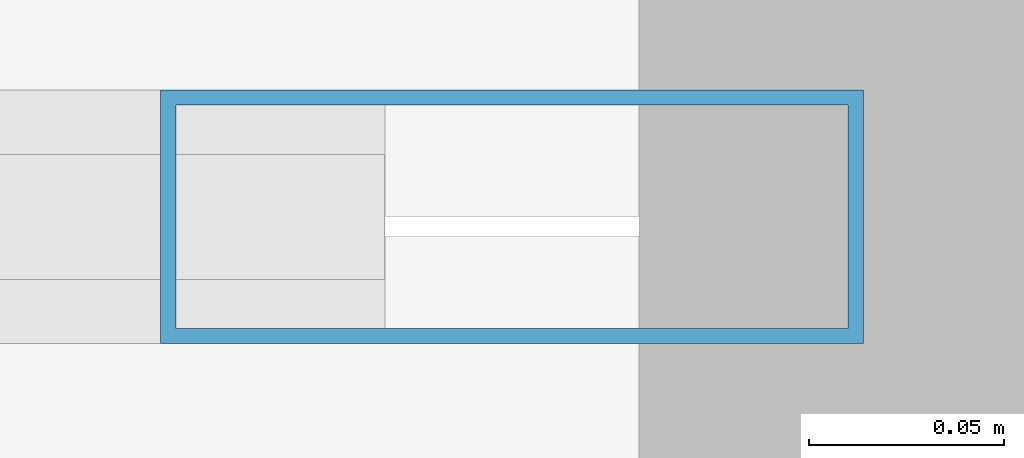
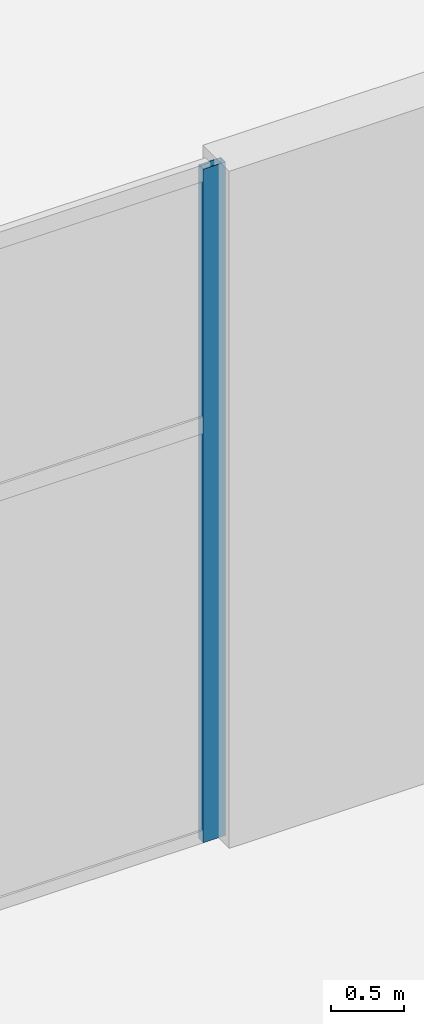
# One storey, part 6 of 30: 1 member, 1 element without a shape of its own.
"""IFC4 building model written with IfcOpenShell, lengths in metres."""

from ifc_helpers import new_model, si_unit, direction, frame, origin, origin_2d, place, context, subcontext, project, spatial, hollow_rectangle, extrude, material, layer, layer_set, material_profile, profile_set, type_object, element, aggregate, save


model = new_model("IFC4")

# Units and contexts
model_context = context("Model", 3, precision=1e-05, world=origin(), true_north=direction((0.0, 1.0)))
body_context = subcontext(model_context, "Body", "Model", "MODEL_VIEW")
ifc_project = project(units=[si_unit("LENGTHUNIT", "METRE"), si_unit("AREAUNIT", "SQUARE_METRE"), si_unit("VOLUMEUNIT", "CUBIC_METRE"), si_unit("PLANEANGLEUNIT", "RADIAN"), si_unit("MASSUNIT", "GRAM", prefix="KILO")], contexts=[model_context])

# Site, building, storey
site_placement = place(None, origin())
site = spatial("IfcSite", under=ifc_project, at=site_placement, CompositionType="ELEMENT")
building_placement = place(site_placement, origin())
building = spatial("IfcBuilding", under=site, at=building_placement, Name="Haevon Station Towers", CompositionType="ELEMENT")
storey_placement = place(building_placement, origin())
storey = spatial("IfcBuildingStorey", under=building, at=storey_placement, Name="L00", CompositionType="ELEMENT", Elevation=0.0)

# Curtain wall, member
ifc_material_1 = material(Name="Anodised aluminium and Low-E double glazing", Category="aluminium")
ifc_layer = layer(ifc_material_1, 0.179931640625)
ifc_layer_set = layer_set([ifc_layer], Name="Anodised aluminium and Low-E double glazing")
curtain_wall_type = type_object("IfcCurtainWallType", Name="CW-SYS1", PredefinedType="NOTDEFINED", material=ifc_layer_set)
curtain_wall_placement = place(storey_placement, origin())
curtain_wall = element("IfcCurtainWall", 1, at=curtain_wall_placement, inside=storey, type_object=curtain_wall_type, Name="L00 Curtain Wall CW-POD-L00-S2", PredefinedType="NOTDEFINED")
ifc_material_2 = material(Name="Anodised aluminium 6063-T6", Category="aluminium")
ifc_material_profile = material_profile(ifc_material_2, hollow_rectangle(XDim=0.06494140625, YDim=0.179931640625, WallThickness=0.00390625, at=origin_2d()), Name="CWM-180x65x4")
ifc_profile_set = profile_set([ifc_material_profile], Name="Anodised aluminium 6063-T6")
member_type = type_object("IfcMemberType", Name="CWM-180", PredefinedType="MULLION", material=ifc_profile_set)
member_placement = place(storey_placement, frame((53.967529296875, 4.5, 0.0), z_axis=(0.0, 0.0, 1.0), x_axis=(0.0, -1.0, 0.0)))
member = element("IfcMember", 2, at=member_placement, type_object=member_type, Name="CW-SYS1 mullion 1", PredefinedType="MULLION", context=body_context, shape_type="SweptSolid", body=[
    extrude(hollow_rectangle(XDim=0.06494140625, YDim=0.179931640625, WallThickness=0.00390625, at=origin_2d()), origin(), (0.0, 0.0, 1.0), 5.64990234375),
])
aggregate(curtain_wall, [member])

save(model, "model.ifc")
